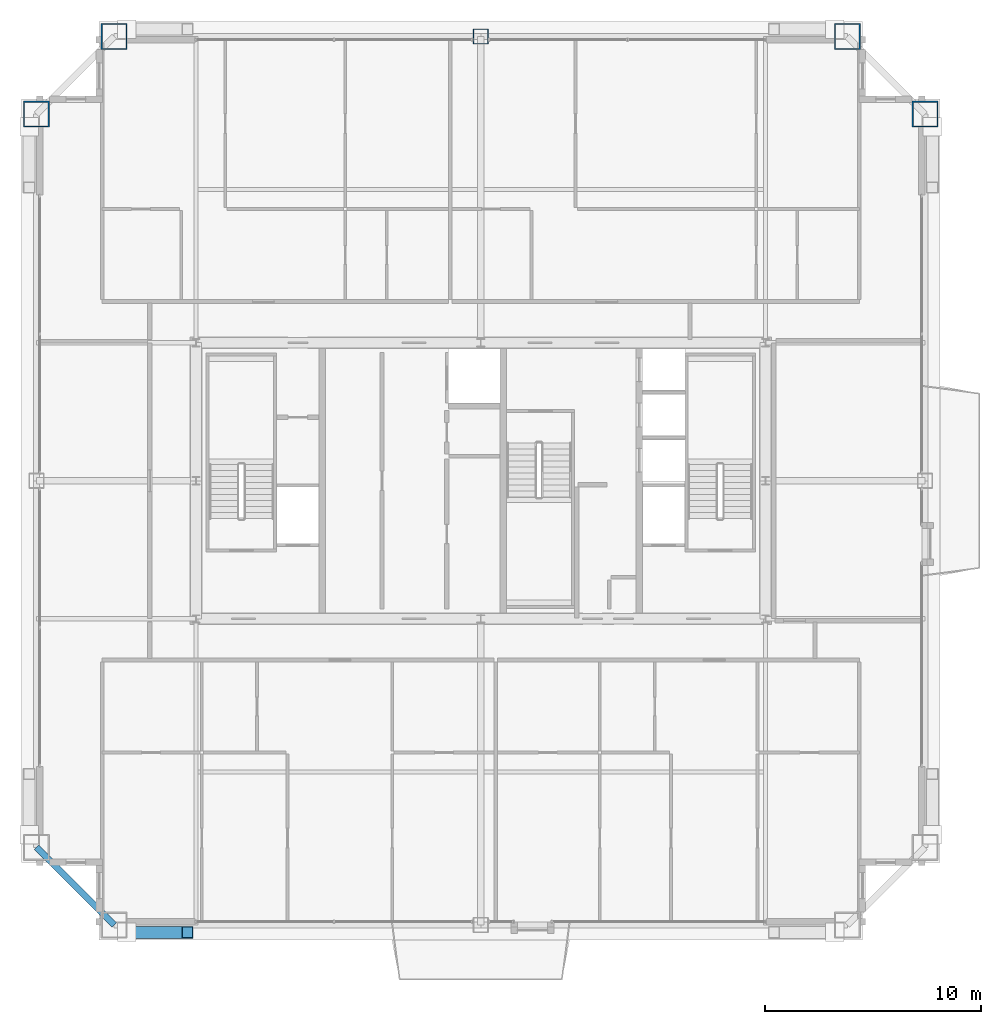
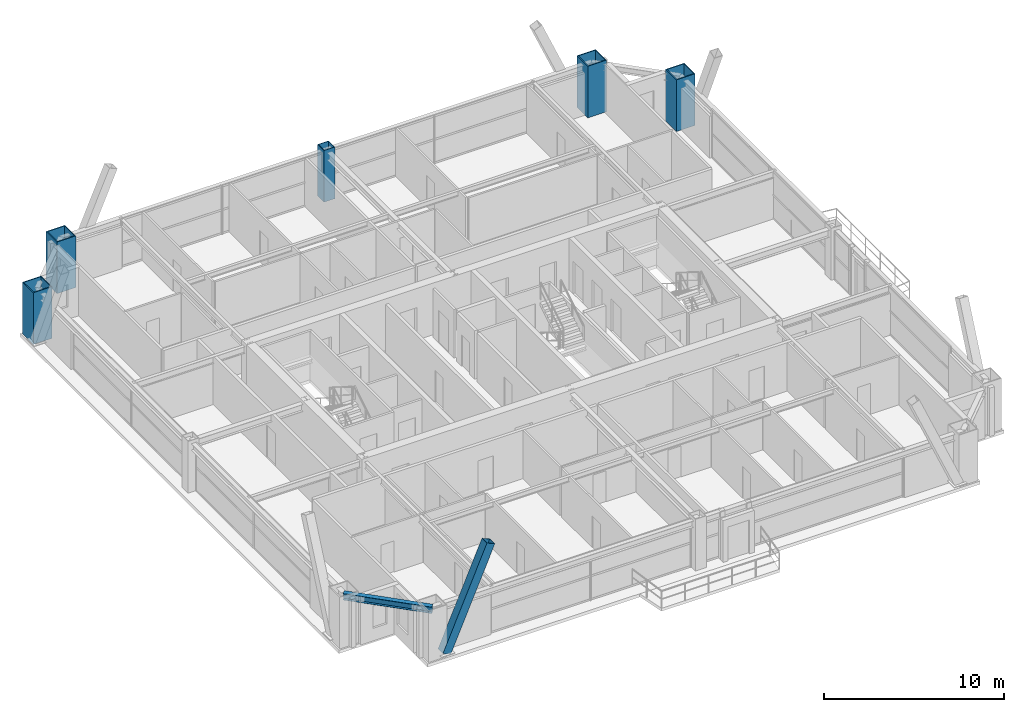
# One storey, part 3 of 37: 5 columns, 1 beam, 1 member.
"""IFC4 building model written with IfcOpenShell, lengths in metres."""

from ifc_helpers import new_model, si_unit, direction, frame, origin, origin_2d, place, context, subcontext, project, spatial, hollow_rectangle, i_section, extrude, source, transform, mapped, material, material_profile, profile_set, type_object, element, save


model = new_model("IFC4")

# Units and contexts
model_context = context("Model", 3, precision=1e-05, world=origin(), true_north=direction((0.0, 1.0)))
body_context = subcontext(model_context, "Body", "Model", "MODEL_VIEW")
ifc_project = project(units=[si_unit("LENGTHUNIT", "METRE"), si_unit("AREAUNIT", "SQUARE_METRE"), si_unit("VOLUMEUNIT", "CUBIC_METRE"), si_unit("PLANEANGLEUNIT", "RADIAN"), si_unit("MASSUNIT", "GRAM", prefix="KILO"), si_unit("THERMODYNAMICTEMPERATUREUNIT", "KELVIN"), si_unit("POWERUNIT", "WATT")], contexts=[model_context])

# Site, building, storey
site_placement = place(None, origin())
site = spatial("IfcSite", under=ifc_project, at=site_placement, CompositionType="ELEMENT")
building_placement = place(site_placement, origin())
building = spatial("IfcBuilding", under=site, at=building_placement, Name="Yuzanri Waterfront Tower", CompositionType="ELEMENT")
storey_placement = place(building_placement, frame((0.0, 0.0, 278.60009765625)))
storey = spatial("IfcBuildingStorey", under=building, at=storey_placement, Name="L74", CompositionType="ELEMENT", Elevation=278.60009765625)

# Columns
ifc_material_1 = material(Name="Steel Q390GJC", Category="steel")
ifc_material_profile_1 = material_profile(ifc_material_1, hollow_rectangle(XDim=1.199951171875, YDim=1.199951171875, WallThickness=0.054931640625, at=origin_2d()), Name="RHS 1200x1200x55")
ifc_profile_set_1 = profile_set([ifc_material_profile_1], Name="Steel Q390GJC")
column_type_1 = type_object("IfcColumnType", Name="Mega Column Q390GJC RHS 1200x1200x55", PredefinedType="COLUMN", material=ifc_profile_set_1)
shared_shape_1 = source(origin(), body_context, "Body", "SweptSolid", [
    extrude(hollow_rectangle(XDim=1.199951171875, YDim=1.199951171875, WallThickness=0.054931640625, at=origin_2d()), origin(), (0.0, 0.0, 1.0), 3.5),
])
for number, where, z_axis, x_axis, name in (
    (1, (20.0, 46.39990234375, 0.0), (0.0, 0.0, 1.0), (1.0, 0.0, 0.0), "L74 Perimeter Mega Column N1"),
    (2, (54.0, 46.39990234375, 0.0), (0.0, 0.0, 1.0), (1.0, 0.0, 0.0), "L74 Perimeter Mega Column N3"),
    (3, (16.39990234375, 42.800048828125, 0.0), (0.0, 0.0, 1.0), (1.0, 0.0, 0.0), "L74 Perimeter Mega Column W3"),
    (4, (57.60009765625, 42.800048828125, 0.0), (0.0, 0.0, 1.0), (1.0, 0.0, 0.0), "L74 Perimeter Mega Column E3"),
):
    element("IfcColumn", number, at=place(storey_placement, frame(where, z_axis=z_axis, x_axis=x_axis)), inside=storey, type_object=column_type_1, Name=name, PredefinedType="COLUMN", context=body_context, shape_type="MappedRepresentation", body=[
        mapped(shared_shape_1, transform((0.0, 0.0, 0.0), scale=1.0)),
    ])
ifc_material_2 = material(Name="Steel Q355B", Category="steel")
ifc_material_profile_2 = material_profile(ifc_material_2, hollow_rectangle(XDim=0.699951171875, YDim=0.699951171875, WallThickness=0.031982421875, at=origin_2d()), Name="RHS 700x700x32")
ifc_profile_set_2 = profile_set([ifc_material_profile_2], Name="Steel Q355B")
column_type_2 = type_object("IfcColumnType", Name="Frame Column Q355B RHS 700x700x32", PredefinedType="COLUMN", material=ifc_profile_set_2)
shared_shape_2 = source(origin(), body_context, "Body", "SweptSolid", [
    extrude(hollow_rectangle(XDim=0.699951171875, YDim=0.699951171875, WallThickness=0.031982421875, at=origin_2d()), origin(), (0.0, 0.0, 1.0), 3.5),
])
column_placement = place(storey_placement, frame((37.0, 46.39990234375, 0.0), z_axis=(0.0, 0.0, 1.0), x_axis=(1.0, 0.0, 0.0)))
element("IfcColumn", 5, at=column_placement, inside=storey, type_object=column_type_2, Name="L74 Perimeter Frame Column N2", PredefinedType="COLUMN", context=body_context, shape_type="MappedRepresentation", body=[
    mapped(shared_shape_2, transform((0.0, 0.0, 0.0), scale=1.0)),
])

# Beam
ifc_material_3 = material(Name="Steel Q355B", Category="steel")
ifc_material_profile_3 = material_profile(ifc_material_3, i_section(OverallWidth=0.300048828125, OverallDepth=0.43994140625, WebThickness=0.010986328125, FlangeThickness=0.01806640625, at=origin_2d()), Name="HM 440x300x11x18")
ifc_profile_set_3 = profile_set([ifc_material_profile_3], Name="Steel Q355B")
beam_type = type_object("IfcBeamType", Name="Perimeter Spandrel Q355B HM 440x300", PredefinedType="SPANDREL", material=ifc_profile_set_3)
shared_shape_3 = source(origin(), body_context, "Body", "SweptSolid", [
    extrude(i_section(OverallWidth=0.300048828125, OverallDepth=0.43994140625, WebThickness=0.010986328125, FlangeThickness=0.01806640625, at=origin_2d()), origin(), (0.0, 0.0, 1.0), 5.09130859375),
])
beam_placement = place(storey_placement, frame((16.39990234375, 8.800048828125, 3.059814453125), z_axis=(0.707106781187, -0.707106781187, 0.0), x_axis=(0.707106781187, 0.707106781187, 0.0)))
element("IfcBeam", 6, at=beam_placement, inside=storey, type_object=beam_type, Name="L74 Perimeter Spandrel W1-S1", PredefinedType="SPANDREL", context=body_context, shape_type="MappedRepresentation", body=[
    mapped(shared_shape_3, transform((0.0, 0.0, 0.0), scale=1.0)),
])

# Member
ifc_material_4 = material(Name="Steel Q390GJC", Category="steel")
ifc_material_profile_4 = material_profile(ifc_material_4, hollow_rectangle(XDim=0.550048828125, YDim=0.550048828125, WallThickness=0.02490234375, at=origin_2d()), Name="RHS 550x550x25")
ifc_profile_set_4 = profile_set([ifc_material_profile_4], Name="Steel Q390GJC")
member_type = type_object("IfcMemberType", Name="Mega Brace Mid Q390GJC RHS 550x550x25", PredefinedType="BRACE", material=ifc_profile_set_4)
shared_shape_4 = source(origin(), body_context, "Body", "SweptSolid", [
    extrude(hollow_rectangle(XDim=0.550048828125, YDim=0.550048828125, WallThickness=0.02490234375, at=origin_2d()), origin(), (0.0, 0.0, 1.0), 7.085205078125),
])
member_placement = place(storey_placement, frame((20.580078125, 4.860107421875, 0.179931640625), z_axis=(0.397982599681, 0.0, 0.917392963975), x_axis=(0.0, 1.0, 0.0)))
element("IfcMember", 7, at=member_placement, inside=storey, type_object=member_type, Name="L74-L75 Perimeter Mega-Brace S-L", PredefinedType="BRACE", context=body_context, shape_type="MappedRepresentation", body=[
    mapped(shared_shape_4, transform((0.0, 0.0, 0.0), scale=1.0)),
])

save(model, "model.ifc")
